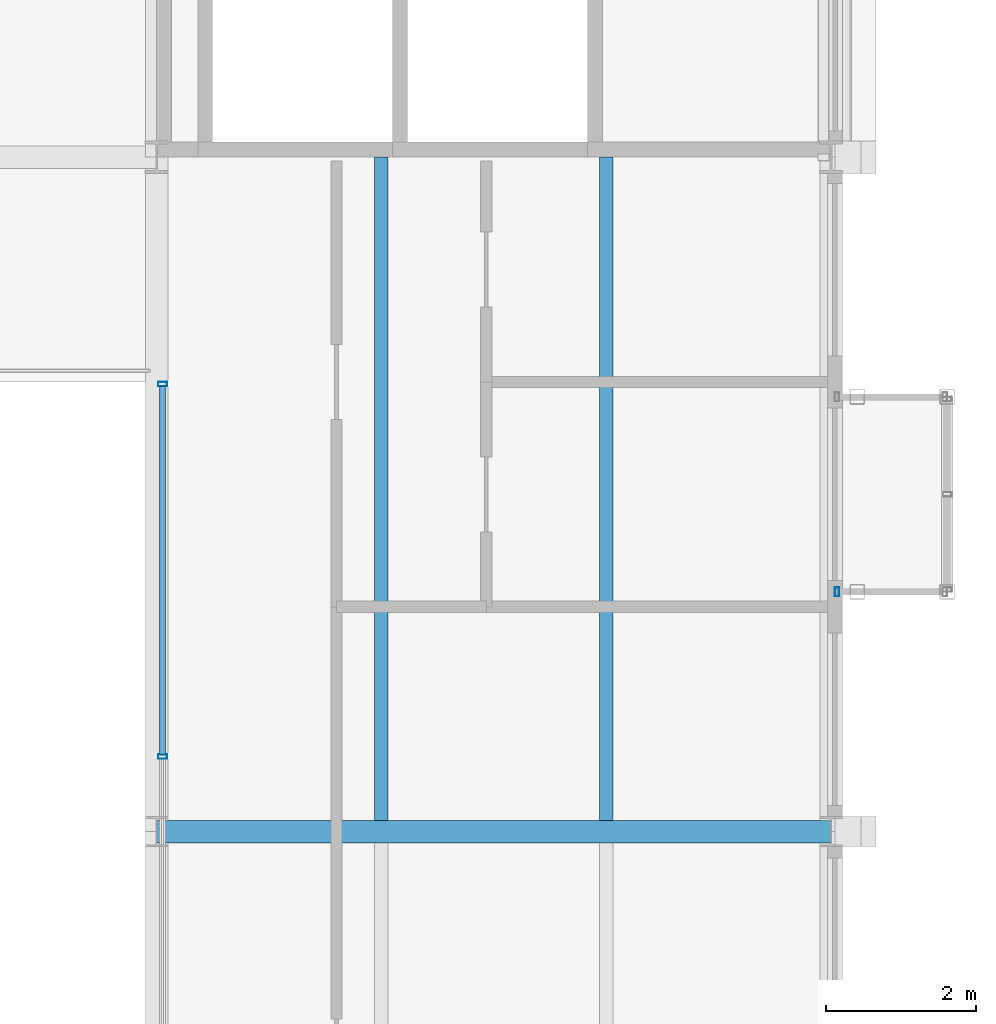
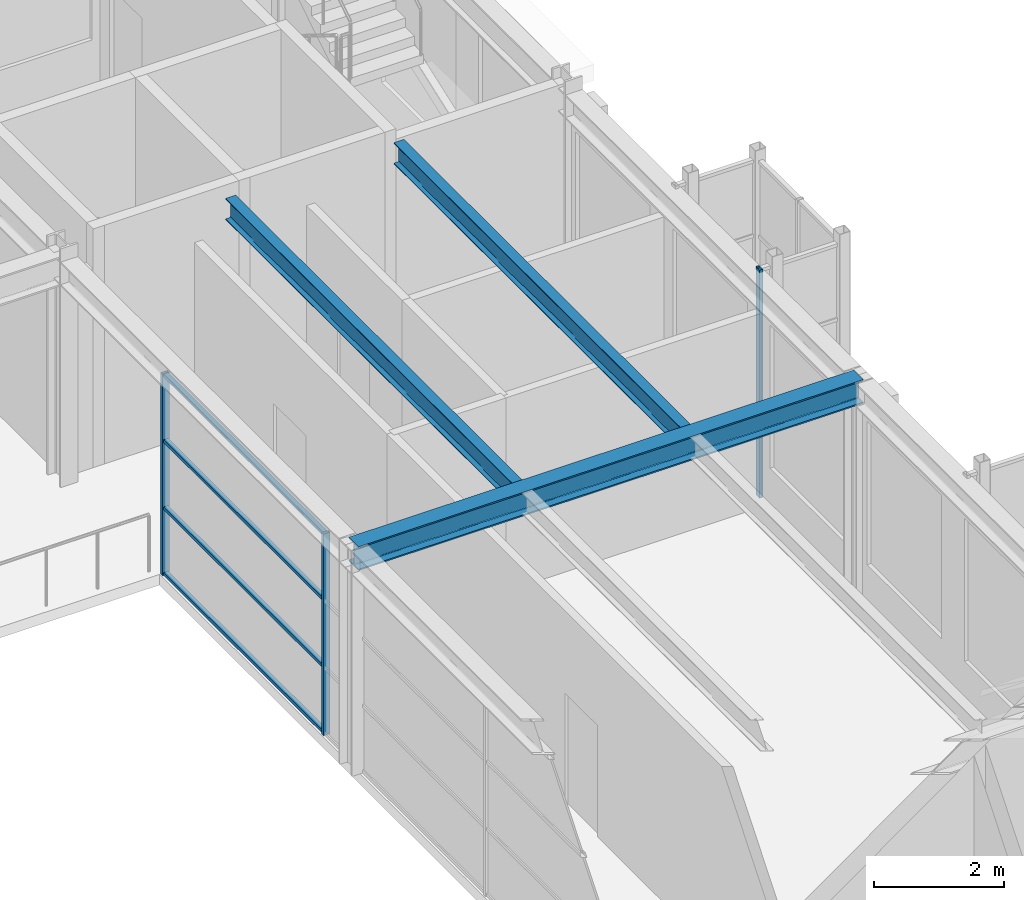
# One storey, part 28 of 149: 7 members, 3 beams, 2 elements without a shape of their own.
"""IFC4 building model written with IfcOpenShell, lengths in metres."""

from ifc_helpers import new_model, si_unit, direction, frame, origin, origin_2d, place, context, subcontext, project, spatial, hollow_rectangle, i_section, extrude, material, material_profile, profile_set, type_object, element, aggregate, save


model = new_model("IFC4")

# Units and contexts
model_context = context("Model", 3, precision=1e-05, world=origin(), true_north=direction((0.0, 1.0)))
body_context = subcontext(model_context, "Body", "Model", "MODEL_VIEW")
ifc_project = project(units=[si_unit("LENGTHUNIT", "METRE"), si_unit("AREAUNIT", "SQUARE_METRE"), si_unit("VOLUMEUNIT", "CUBIC_METRE"), si_unit("PLANEANGLEUNIT", "RADIAN"), si_unit("MASSUNIT", "GRAM", prefix="KILO")], contexts=[model_context])

# Site, building, storey
site_placement = place(None, origin())
site = spatial("IfcSite", under=ifc_project, at=site_placement, CompositionType="ELEMENT")
building_placement = place(site_placement, origin())
building = spatial("IfcBuilding", under=site, at=building_placement, Name="Kallimachos Central Library", CompositionType="ELEMENT")
storey_placement = place(building_placement, frame((0.0, 0.0, 9.89990234375)))
storey = spatial("IfcBuildingStorey", under=building, at=storey_placement, Name="L02", CompositionType="ELEMENT", Elevation=9.89990234375)

# Curtain wall, members
ifc_material_1 = material(Name="Aluminium and laminated glass", Category="aluminium")
curtain_wall_type_1 = type_object("IfcCurtainWallType", Name="Atrium glazed screen", PredefinedType="NOTDEFINED", material=ifc_material_1)
curtain_wall_1_placement = place(storey_placement, origin())
curtain_wall_1 = element("IfcCurtainWall", 1, at=curtain_wall_1_placement, inside=storey, type_object=curtain_wall_type_1, Name="L02 atrium screen E", PredefinedType="NOTDEFINED")
ifc_material_2 = material(Name="Anodised aluminium", Category="aluminium")
ifc_material_profile_1 = material_profile(ifc_material_2, hollow_rectangle(XDim=0.06005859375, YDim=0.1201171875, WallThickness=0.00390625, at=origin_2d()), Name="ALU MULLION 60x120")
ifc_profile_set_1 = profile_set([ifc_material_profile_1], Name="Anodised aluminium")
member_type_1 = type_object("IfcMemberType", Name="Atrium screen mullion", PredefinedType="MULLION", material=ifc_profile_set_1)
member_1_placement = place(storey_placement, frame((101.580078125, 67.0, 0.0), z_axis=(0.0, 0.0, 1.0), x_axis=(0.0, 1.0, 0.0)))
member_1 = element("IfcMember", 2, at=member_1_placement, type_object=member_type_1, Name="CW mullion 3", PredefinedType="MULLION", context=body_context, shape_type="SweptSolid", body=[
    extrude(hollow_rectangle(XDim=0.06005859375, YDim=0.1201171875, WallThickness=0.00390625, at=origin_2d()), origin(), (0.0, 0.0, 1.0), 3.800048828125),
])
member_2_placement = place(storey_placement, frame((101.580078125, 71.969970703125, 0.0), z_axis=(0.0, 0.0, 1.0), x_axis=(0.0, 1.0, 0.0)))
member_2 = element("IfcMember", 3, at=member_2_placement, type_object=member_type_1, Name="CW mullion 4", PredefinedType="MULLION", context=body_context, shape_type="SweptSolid", body=[
    extrude(hollow_rectangle(XDim=0.06005859375, YDim=0.1201171875, WallThickness=0.00390625, at=origin_2d()), origin(), (0.0, 0.0, 1.0), 3.800048828125),
])
ifc_material_3 = material(Name="Anodised aluminium", Category="aluminium")
ifc_material_profile_2 = material_profile(ifc_material_3, hollow_rectangle(XDim=0.06005859375, YDim=0.080078125, WallThickness=0.00390625, at=origin_2d()), Name="ALU TRANSOM 60x80")
ifc_profile_set_2 = profile_set([ifc_material_profile_2], Name="Anodised aluminium")
member_type_2 = type_object("IfcMemberType", Name="Atrium screen transom", PredefinedType="USERDEFINED", material=ifc_profile_set_2)
member_3_placement = place(storey_placement, frame((101.580078125, 67.030029296875, 0.030029296875), z_axis=(0.0, 1.0, 0.0), x_axis=(0.0, 0.0, 1.0)))
member_3 = element("IfcMember", 4, at=member_3_placement, type_object=member_type_2, Name="CW transom 3.1", ObjectType="TRANSOM", PredefinedType="USERDEFINED", context=body_context, shape_type="SweptSolid", body=[
    extrude(hollow_rectangle(XDim=0.06005859375, YDim=0.080078125, WallThickness=0.00390625, at=origin_2d()), origin(), (0.0, 0.0, 1.0), 4.909912109375),
])
member_4_placement = place(storey_placement, frame((101.580078125, 67.030029296875, 1.266845703125), z_axis=(0.0, 1.0, 0.0), x_axis=(0.0, 0.0, 1.0)))
member_4 = element("IfcMember", 5, at=member_4_placement, type_object=member_type_2, Name="CW transom 3.2", ObjectType="TRANSOM", PredefinedType="USERDEFINED", context=body_context, shape_type="SweptSolid", body=[
    extrude(hollow_rectangle(XDim=0.06005859375, YDim=0.080078125, WallThickness=0.00390625, at=origin_2d()), origin(), (0.0, 0.0, 1.0), 4.909912109375),
])
member_5_placement = place(storey_placement, frame((101.580078125, 67.030029296875, 2.533447265625), z_axis=(0.0, 1.0, 0.0), x_axis=(0.0, 0.0, 1.0)))
member_5 = element("IfcMember", 6, at=member_5_placement, type_object=member_type_2, Name="CW transom 3.3", ObjectType="TRANSOM", PredefinedType="USERDEFINED", context=body_context, shape_type="SweptSolid", body=[
    extrude(hollow_rectangle(XDim=0.06005859375, YDim=0.080078125, WallThickness=0.00390625, at=origin_2d()), origin(), (0.0, 0.0, 1.0), 4.909912109375),
])
member_6_placement = place(storey_placement, frame((101.580078125, 67.030029296875, 3.77001953125), z_axis=(0.0, 1.0, 0.0), x_axis=(0.0, 0.0, 1.0)))
member_6 = element("IfcMember", 7, at=member_6_placement, type_object=member_type_2, Name="CW transom 3.4", ObjectType="TRANSOM", PredefinedType="USERDEFINED", context=body_context, shape_type="SweptSolid", body=[
    extrude(hollow_rectangle(XDim=0.06005859375, YDim=0.080078125, WallThickness=0.00390625, at=origin_2d()), origin(), (0.0, 0.0, 1.0), 4.909912109375),
])
aggregate(curtain_wall_1, [member_1, member_2, member_3, member_4, member_5, member_6])

# Beams
ifc_material_4 = material(Name="Steel S355J2", Category="steel")
ifc_material_profile_3 = material_profile(ifc_material_4, i_section(OverallWidth=0.300048828125, OverallDepth=0.449951171875, WebThickness=0.013916015625, FlangeThickness=0.02587890625, FilletRadius=0.027099609375, at=origin_2d()), Name="HEB 450")
ifc_profile_set_3 = profile_set([ifc_material_profile_3], Name="Steel S355J2")
beam_type_1 = type_object("IfcBeamType", Name="HEB 450 beam", PredefinedType="BEAM", material=ifc_profile_set_3)
beam_placement = place(storey_placement, frame((101.5, 66.0, 4.025146484375), z_axis=(1.0, 0.0, 0.0), x_axis=(0.0, 1.0, 0.0)))
element("IfcBeam", 8, at=beam_placement, inside=storey, type_object=beam_type_1, Name="V4-BEM-L02-032", PredefinedType="BEAM", context=body_context, shape_type="SweptSolid", body=[
    extrude(i_section(OverallWidth=0.300048828125, OverallDepth=0.449951171875, WebThickness=0.013916015625, FlangeThickness=0.02587890625, FilletRadius=0.027099609375, at=origin_2d()), origin(), (0.0, 0.0, 1.0), 9.0),
])
ifc_material_5 = material(Name="Steel S355J2", Category="steel")
ifc_material_profile_4 = material_profile(ifc_material_5, i_section(OverallWidth=0.179931640625, OverallDepth=0.39990234375, WebThickness=0.008544921875, FlangeThickness=0.013427734375, FilletRadius=0.02099609375, at=origin_2d()), Name="IPE 400")
ifc_profile_set_4 = profile_set([ifc_material_profile_4], Name="Steel S355J2")
beam_type_2 = type_object("IfcBeamType", Name="IPE 400 beam", PredefinedType="BEAM", material=ifc_profile_set_4)
for number, where, z_axis, x_axis, name in (
    (9, (104.5, 66.14990234375, 4.050048828125), (0.0, 1.0, 0.0), (-1.0, 0.0, 0.0), "V4-BEM-L02-039"),
    (10, (107.5, 66.14990234375, 4.050048828125), (0.0, 1.0, 0.0), (-1.0, 0.0, 0.0), "V4-BEM-L02-040"),
):
    element("IfcBeam", number, at=place(storey_placement, frame(where, z_axis=z_axis, x_axis=x_axis)), inside=storey, type_object=beam_type_2, Name=name, PredefinedType="BEAM", context=body_context, shape_type="SweptSolid", body=[
        extrude(i_section(OverallWidth=0.179931640625, OverallDepth=0.39990234375, WebThickness=0.008544921875, FlangeThickness=0.013427734375, FilletRadius=0.02099609375, at=origin_2d()), origin(), (0.0, 0.0, 1.0), 8.85009765625),
    ])

# Curtain wall, member
ifc_material_6 = material(Name="Aluminium and laminated glass", Category="aluminium")
curtain_wall_type_2 = type_object("IfcCurtainWallType", Name="Tribune bay glazed screen", PredefinedType="NOTDEFINED", material=ifc_material_6)
curtain_wall_2_placement = place(storey_placement, origin())
curtain_wall_2 = element("IfcCurtainWall", 11, at=curtain_wall_2_placement, inside=storey, type_object=curtain_wall_type_2, Name="Tribune bay E2 L02 return 1", PredefinedType="NOTDEFINED")
ifc_material_7 = material(Name="Anodised aluminium", Category="aluminium")
ifc_material_profile_5 = material_profile(ifc_material_7, hollow_rectangle(XDim=0.06005859375, YDim=0.1201171875, WallThickness=0.00390625, at=origin_2d()), Name="ALU MULLION 60x120")
ifc_profile_set_5 = profile_set([ifc_material_profile_5], Name="Anodised aluminium")
member_type_3 = type_object("IfcMemberType", Name="Tribune bay mullion", PredefinedType="MULLION", material=ifc_profile_set_5)
member_7_placement = place(storey_placement, frame((110.580078125, 69.199951171875, 0.0), z_axis=(0.0, 0.0, 1.0), x_axis=(1.0, 0.0, 0.0)))
member_7 = element("IfcMember", 12, at=member_7_placement, type_object=member_type_3, Name="CW mullion 1", PredefinedType="MULLION", context=body_context, shape_type="SweptSolid", body=[
    extrude(hollow_rectangle(XDim=0.06005859375, YDim=0.1201171875, WallThickness=0.00390625, at=origin_2d()), origin(), (0.0, 0.0, 1.0), 4.300048828125),
])
aggregate(curtain_wall_2, [member_7])

save(model, "model.ifc")
